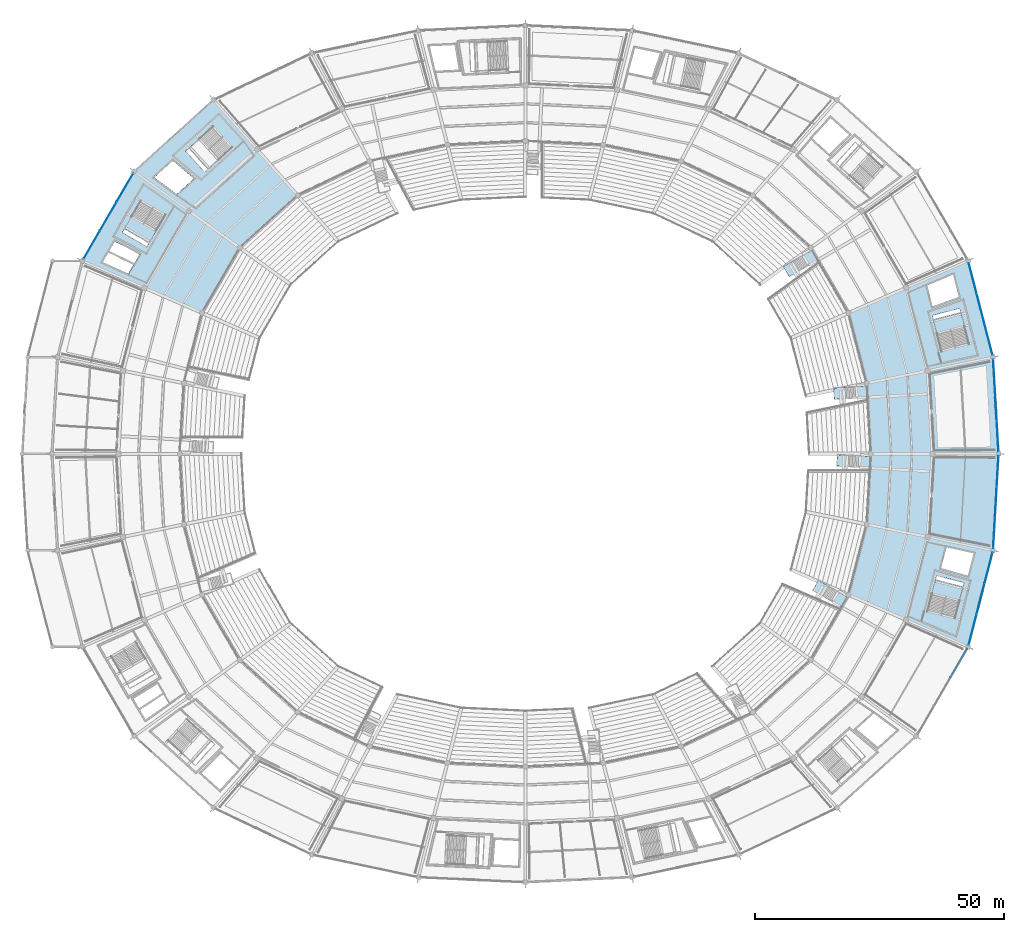
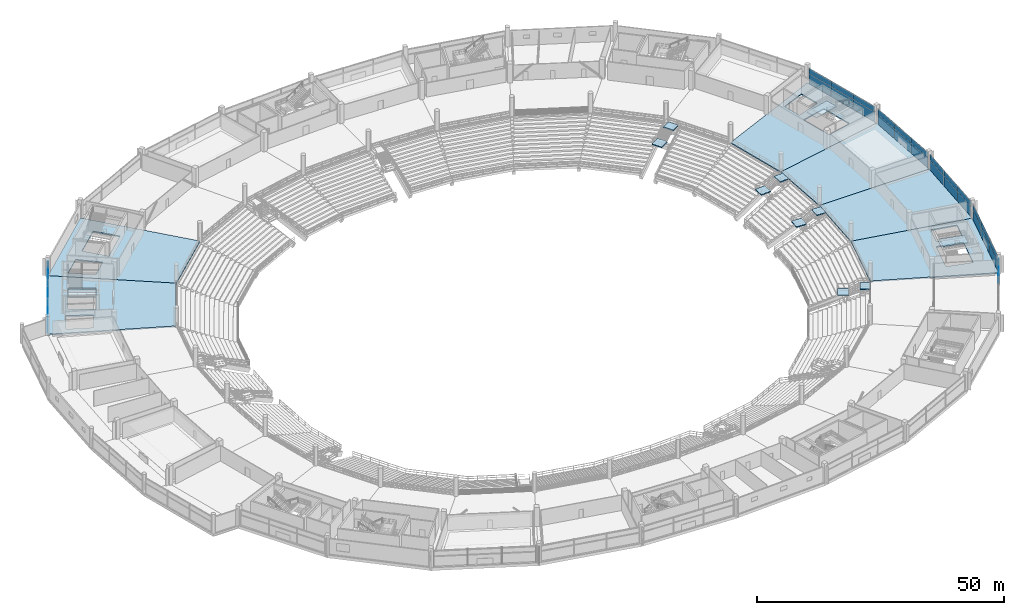
# One storey, part 98 of 156: 31 plates, 17 slabs, 13 elements without a shape of their own.
"""IFC4 building model written with IfcOpenShell, lengths in metres."""

from ifc_helpers import new_model, si_unit, direction, frame, origin, origin_2d, place, context, subcontext, project, spatial, polyline, rectangle, outline, extrude, material, layer, layer_set, type_object, element, aggregate, save


model = new_model("IFC4")

# Units and contexts
model_context = context("Model", 3, precision=1e-05, world=origin(), true_north=direction((0.0, 1.0)))
body_context = subcontext(model_context, "Body", "Model", "MODEL_VIEW")
ifc_project = project(units=[si_unit("LENGTHUNIT", "METRE"), si_unit("AREAUNIT", "SQUARE_METRE"), si_unit("VOLUMEUNIT", "CUBIC_METRE"), si_unit("PLANEANGLEUNIT", "RADIAN"), si_unit("MASSUNIT", "GRAM", prefix="KILO")], contexts=[model_context])

# Site, building, storey
site_placement = place(None, origin())
site = spatial("IfcSite", under=ifc_project, at=site_placement, CompositionType="ELEMENT")
building_placement = place(site_placement, origin())
building = spatial("IfcBuilding", under=site, at=building_placement, Name="Kazemori Nagisa Stadium", CompositionType="ELEMENT")
storey_placement = place(building_placement, frame((0.0, 0.0, 5.780029296875)))
storey = spatial("IfcBuildingStorey", under=building, at=storey_placement, Name="L01", CompositionType="ELEMENT", Elevation=5.780029296875)

# Curtain wall, plates
ifc_material_1 = material(Name="Anodised aluminium 6063-T5", Category="aluminium")
ifc_layer_1 = layer(ifc_material_1, 0.179931640625, Name="Anodised aluminium 6063-T5", Category="aluminium")
ifc_layer_set_1 = layer_set([ifc_layer_1], Name="Anodised aluminium 6063-T5")
curtain_wall_type_1 = type_object("IfcCurtainWallType", Name="CW_L01R3_93", PredefinedType="USERDEFINED", material=ifc_layer_set_1)
curtain_wall_1_placement = place(storey_placement, origin())
curtain_wall_1 = element("IfcCurtainWall", 1, at=curtain_wall_1_placement, inside=storey, type_object=curtain_wall_type_1, Name="Unitised curtain wall CW-L01R3-93 L01", ObjectType="UNITISED CURTAIN WALL", PredefinedType="USERDEFINED")
ifc_material_2 = material(Name="Anodised aluminium spandrel sheet", Category="aluminium")
ifc_layer_2 = layer(ifc_material_2, 0.0458984375, Name="Anodised aluminium spandrel sheet", Category="aluminium")
ifc_layer_set_2 = layer_set([ifc_layer_2], Name="Anodised aluminium spandrel sheet")
plate_type_1 = type_object("IfcPlateType", Name="CWPanel_SPN_L01R3_93", PredefinedType="CURTAIN_PANEL", material=ifc_layer_set_2)
plate_1_placement = place(storey_placement, frame((217.795166015625, 105.549072265625, 2.4638671875), z_axis=(0.0, 0.0, 1.0), x_axis=(-0.057601670941, 0.998339645364, 0.0)))
plate_1 = element("IfcPlate", 2, at=plate_1_placement, type_object=plate_type_1, Name="Curtain wall spandrel panel CW-L01R3-93-S1", PredefinedType="CURTAIN_PANEL", context=body_context, shape_type="SweptSolid", body=[
    extrude(rectangle(XDim=6.135986328125, YDim=0.0458984375, at=origin_2d()), origin(), (0.0, 0.0, 1.0), 1.385986328125),
])
plate_2_placement = place(storey_placement, frame((217.4404296875, 111.69873046875, 2.4638671875), z_axis=(0.0, 0.0, 1.0), x_axis=(-0.057601670941, 0.998339645364, 0.0)))
plate_2 = element("IfcPlate", 3, at=plate_2_placement, type_object=plate_type_1, Name="Curtain wall spandrel panel CW-L01R3-93-S2", PredefinedType="CURTAIN_PANEL", context=body_context, shape_type="SweptSolid", body=[
    extrude(rectangle(XDim=6.135986328125, YDim=0.0458984375, at=origin_2d()), origin(), (0.0, 0.0, 1.0), 1.385986328125),
])
plate_3_placement = place(storey_placement, frame((217.085693359375, 117.8486328125, 2.4638671875), z_axis=(0.0, 0.0, 1.0), x_axis=(-0.057601670941, 0.998339645364, 0.0)))
plate_3 = element("IfcPlate", 4, at=plate_3_placement, type_object=plate_type_1, Name="Curtain wall spandrel panel CW-L01R3-93-S3", PredefinedType="CURTAIN_PANEL", context=body_context, shape_type="SweptSolid", body=[
    extrude(rectangle(XDim=6.135986328125, YDim=0.0458984375, at=origin_2d()), origin(), (0.0, 0.0, 1.0), 1.385986328125),
])

curtain_wall_2_placement = place(storey_placement, origin())
curtain_wall_2 = element("IfcCurtainWall", 5, at=curtain_wall_2_placement, inside=storey, type_object=curtain_wall_type_1, Name="Unitised curtain wall CW-L01R3-93 L01", ObjectType="UNITISED CURTAIN WALL", PredefinedType="USERDEFINED")
plate_4_placement = place(storey_placement, frame((217.085693359375, 86.1513671875, 2.4638671875), z_axis=(0.0, 0.0, 1.0), x_axis=(0.057601670941, 0.998339645364, 0.0)))
plate_4 = element("IfcPlate", 6, at=plate_4_placement, type_object=plate_type_1, Name="Curtain wall spandrel panel CW-L01R3-93-S1", PredefinedType="CURTAIN_PANEL", context=body_context, shape_type="SweptSolid", body=[
    extrude(rectangle(XDim=6.135986328125, YDim=0.0458984375, at=origin_2d()), origin(), (0.0, 0.0, 1.0), 1.385986328125),
])
plate_5_placement = place(storey_placement, frame((217.4404296875, 92.30126953125, 2.4638671875), z_axis=(0.0, 0.0, 1.0), x_axis=(0.057601670941, 0.998339645364, 0.0)))
plate_5 = element("IfcPlate", 7, at=plate_5_placement, type_object=plate_type_1, Name="Curtain wall spandrel panel CW-L01R3-93-S2", PredefinedType="CURTAIN_PANEL", context=body_context, shape_type="SweptSolid", body=[
    extrude(rectangle(XDim=6.135986328125, YDim=0.0458984375, at=origin_2d()), origin(), (0.0, 0.0, 1.0), 1.385986328125),
])
plate_6_placement = place(storey_placement, frame((217.795166015625, 98.450927734375, 2.4638671875), z_axis=(0.0, 0.0, 1.0), x_axis=(0.057601670941, 0.998339645364, 0.0)))
plate_6 = element("IfcPlate", 8, at=plate_6_placement, type_object=plate_type_1, Name="Curtain wall spandrel panel CW-L01R3-93-S3", PredefinedType="CURTAIN_PANEL", context=body_context, shape_type="SweptSolid", body=[
    extrude(rectangle(XDim=6.135986328125, YDim=0.0458984375, at=origin_2d()), origin(), (0.0, 0.0, 1.0), 1.385986328125),
])

ifc_layer_3 = layer(ifc_material_1, 0.179931640625, Name="Anodised aluminium 6063-T5", Category="aluminium")
ifc_layer_set_3 = layer_set([ifc_layer_3], Name="Anodised aluminium 6063-T5")
curtain_wall_type_2 = type_object("IfcCurtainWallType", Name="CW_L01R3_96", PredefinedType="USERDEFINED", material=ifc_layer_set_3)
curtain_wall_3_placement = place(storey_placement, origin())
curtain_wall_3 = element("IfcCurtainWall", 9, at=curtain_wall_3_placement, inside=storey, type_object=curtain_wall_type_2, Name="Unitised curtain wall CW-L01R3-96 L01", ObjectType="UNITISED CURTAIN WALL", PredefinedType="USERDEFINED")
ifc_layer_4 = layer(ifc_material_2, 0.0458984375, Name="Anodised aluminium spandrel sheet", Category="aluminium")
ifc_layer_set_4 = layer_set([ifc_layer_4], Name="Anodised aluminium spandrel sheet")
plate_type_2 = type_object("IfcPlateType", Name="CWPanel_SPN_L01R3_96", PredefinedType="CURTAIN_PANEL", material=ifc_layer_set_4)
plate_7_placement = place(storey_placement, frame((215.968994140625, 124.9296875, 2.4638671875), z_axis=(0.0, 0.0, 1.0), x_axis=(-0.249964642418, 0.968254965152, 0.0)))
plate_7 = element("IfcPlate", 10, at=plate_7_placement, type_object=plate_type_2, Name="Curtain wall spandrel panel CW-L01R3-96-S1", PredefinedType="CURTAIN_PANEL", context=body_context, shape_type="SweptSolid", body=[
    extrude(rectangle(XDim=6.3212890625, YDim=0.0458984375, at=origin_2d()), origin(), (0.0, 0.0, 1.0), 1.385986328125),
])
plate_8_placement = place(storey_placement, frame((214.3828125, 131.07373046875, 2.4638671875), z_axis=(0.0, 0.0, 1.0), x_axis=(-0.249964642418, 0.968254965152, 0.0)))
plate_8 = element("IfcPlate", 11, at=plate_8_placement, type_object=plate_type_2, Name="Curtain wall spandrel panel CW-L01R3-96-S2", PredefinedType="CURTAIN_PANEL", context=body_context, shape_type="SweptSolid", body=[
    extrude(rectangle(XDim=6.3212890625, YDim=0.0458984375, at=origin_2d()), origin(), (0.0, 0.0, 1.0), 1.385986328125),
])
plate_9_placement = place(storey_placement, frame((212.796630859375, 137.217529296875, 2.4638671875), z_axis=(0.0, 0.0, 1.0), x_axis=(-0.249964642418, 0.968254965152, 0.0)))
plate_9 = element("IfcPlate", 12, at=plate_9_placement, type_object=plate_type_2, Name="Curtain wall spandrel panel CW-L01R3-96-S3", PredefinedType="CURTAIN_PANEL", context=body_context, shape_type="SweptSolid", body=[
    extrude(rectangle(XDim=6.3212890625, YDim=0.0458984375, at=origin_2d()), origin(), (0.0, 0.0, 1.0), 1.385986328125),
])

curtain_wall_4_placement = place(storey_placement, origin())
curtain_wall_4 = element("IfcCurtainWall", 13, at=curtain_wall_4_placement, inside=storey, type_object=curtain_wall_type_2, Name="Unitised curtain wall CW-L01R3-96 L01", ObjectType="UNITISED CURTAIN WALL", PredefinedType="USERDEFINED")
plate_10_placement = place(storey_placement, frame((212.796630859375, 66.782470703125, 2.4638671875), z_axis=(0.0, 0.0, 1.0), x_axis=(0.249964642418, 0.968254965152, 0.0)))
plate_10 = element("IfcPlate", 14, at=plate_10_placement, type_object=plate_type_2, Name="Curtain wall spandrel panel CW-L01R3-96-S1", PredefinedType="CURTAIN_PANEL", context=body_context, shape_type="SweptSolid", body=[
    extrude(rectangle(XDim=6.3212890625, YDim=0.0458984375, at=origin_2d()), origin(), (0.0, 0.0, 1.0), 1.385986328125),
])
plate_11_placement = place(storey_placement, frame((214.3828125, 72.92626953125, 2.4638671875), z_axis=(0.0, 0.0, 1.0), x_axis=(0.249964642418, 0.968254965152, 0.0)))
plate_11 = element("IfcPlate", 15, at=plate_11_placement, type_object=plate_type_2, Name="Curtain wall spandrel panel CW-L01R3-96-S2", PredefinedType="CURTAIN_PANEL", context=body_context, shape_type="SweptSolid", body=[
    extrude(rectangle(XDim=6.3212890625, YDim=0.0458984375, at=origin_2d()), origin(), (0.0, 0.0, 1.0), 1.385986328125),
])
plate_12_placement = place(storey_placement, frame((215.968994140625, 79.0703125, 2.4638671875), z_axis=(0.0, 0.0, 1.0), x_axis=(0.249964642418, 0.968254965152, 0.0)))
plate_12 = element("IfcPlate", 16, at=plate_12_placement, type_object=plate_type_2, Name="Curtain wall spandrel panel CW-L01R3-96-S3", PredefinedType="CURTAIN_PANEL", context=body_context, shape_type="SweptSolid", body=[
    extrude(rectangle(XDim=6.3212890625, YDim=0.0458984375, at=origin_2d()), origin(), (0.0, 0.0, 1.0), 1.385986328125),
])

ifc_layer_5 = layer(ifc_material_1, 0.179931640625, Name="Anodised aluminium 6063-T5", Category="aluminium")
ifc_layer_set_5 = layer_set([ifc_layer_5], Name="Anodised aluminium 6063-T5")
curtain_wall_type_3 = type_object("IfcCurtainWallType", Name="CW_L01R3_99", PredefinedType="USERDEFINED", material=ifc_layer_set_5)
curtain_wall_5_placement = place(storey_placement, origin())
curtain_wall_5 = element("IfcCurtainWall", 17, at=curtain_wall_5_placement, inside=storey, type_object=curtain_wall_type_3, Name="Unitised curtain wall CW-L01R3-99 L01", ObjectType="UNITISED CURTAIN WALL", PredefinedType="USERDEFINED")
ifc_layer_6 = layer(ifc_material_2, 0.0458984375, Name="Anodised aluminium spandrel sheet", Category="aluminium")
ifc_layer_set_6 = layer_set([ifc_layer_6], Name="Anodised aluminium spandrel sheet")
plate_type_3 = type_object("IfcPlateType", Name="CWPanel_SPN_L01R3_99", PredefinedType="CURTAIN_PANEL", material=ifc_layer_set_6)
plate_13_placement = place(storey_placement, frame((42.6142578125, 155.4072265625, 2.4638671875), z_axis=(0.0, 0.0, 1.0), x_axis=(-0.501611590054, -0.865092950337, 0.0)))
plate_13 = element("IfcPlate", 18, at=plate_13_placement, type_object=plate_type_3, Name="Curtain wall spandrel panel CW-L01R3-99-S1", PredefinedType="CURTAIN_PANEL", context=body_context, shape_type="SweptSolid", body=[
    extrude(rectangle(XDim=6.563232421875, YDim=0.0458984375, at=origin_2d()), origin(), (0.0, 0.0, 1.0), 1.385986328125),
])
plate_14_placement = place(storey_placement, frame((39.309814453125, 149.70849609375, 2.4638671875), z_axis=(0.0, 0.0, 1.0), x_axis=(-0.501611590054, -0.865092950337, 0.0)))
plate_14 = element("IfcPlate", 19, at=plate_14_placement, type_object=plate_type_3, Name="Curtain wall spandrel panel CW-L01R3-99-S2", PredefinedType="CURTAIN_PANEL", context=body_context, shape_type="SweptSolid", body=[
    extrude(rectangle(XDim=6.563232421875, YDim=0.0458984375, at=origin_2d()), origin(), (0.0, 0.0, 1.0), 1.385986328125),
])
plate_15_placement = place(storey_placement, frame((36.005615234375, 144.009765625, 2.4638671875), z_axis=(0.0, 0.0, 1.0), x_axis=(-0.501611590054, -0.865092950337, 0.0)))
plate_15 = element("IfcPlate", 20, at=plate_15_placement, type_object=plate_type_3, Name="Curtain wall spandrel panel CW-L01R3-99-S3", PredefinedType="CURTAIN_PANEL", context=body_context, shape_type="SweptSolid", body=[
    extrude(rectangle(XDim=6.563232421875, YDim=0.0458984375, at=origin_2d()), origin(), (0.0, 0.0, 1.0), 1.385986328125),
])

# Curtain wall, plate
curtain_wall_6_placement = place(storey_placement, origin())
curtain_wall_6 = element("IfcCurtainWall", 21, at=curtain_wall_6_placement, inside=storey, type_object=curtain_wall_type_3, Name="Unitised curtain wall CW-L01R3-99 L01", ObjectType="UNITISED CURTAIN WALL", PredefinedType="USERDEFINED")
plate_16_placement = place(storey_placement, frame((209.994384765625, 59.990234375, 2.4638671875), z_axis=(0.0, 0.0, 1.0), x_axis=(0.501611590054, 0.865092950337, 0.0)))
plate_16 = element("IfcPlate", 22, at=plate_16_placement, type_object=plate_type_3, Name="Curtain wall spandrel panel CW-L01R3-99-S3", PredefinedType="CURTAIN_PANEL", context=body_context, shape_type="SweptSolid", body=[
    extrude(rectangle(XDim=6.563232421875, YDim=0.0458984375, at=origin_2d()), origin(), (0.0, 0.0, 1.0), 1.385986328125),
])
aggregate(curtain_wall_6, [plate_16])

# Plate
ifc_material_3 = material(Name="Low-e laminated double glazing", Category="glass")
ifc_layer_7 = layer(ifc_material_3, 0.028076171875, Name="Low-e laminated double glazing", Category="glass")
ifc_layer_set_7 = layer_set([ifc_layer_7], Name="Low-e laminated double glazing")
plate_type_4 = type_object("IfcPlateType", Name="CWPanel_VIS_L01R3_93", PredefinedType="CURTAIN_PANEL", material=ifc_layer_set_7)
plate_17_placement = place(storey_placement, frame((217.795166015625, 105.549072265625, 0.0), z_axis=(0.0, 0.0, 1.0), x_axis=(-0.057601670941, 0.998339645364, 0.0)))
plate_17 = element("IfcPlate", 23, at=plate_17_placement, type_object=plate_type_4, Name="Curtain wall vision panel CW-L01R3-93-V1", PredefinedType="CURTAIN_PANEL", context=body_context, shape_type="SweptSolid", body=[
    extrude(rectangle(XDim=6.135986328125, YDim=0.028076171875, at=origin_2d()), origin(), (0.0, 0.0, 1.0), 2.464111328125),
])

plate_18_placement = place(storey_placement, frame((217.4404296875, 111.69873046875, 0.0), z_axis=(0.0, 0.0, 1.0), x_axis=(-0.057601670941, 0.998339645364, 0.0)))
plate_18 = element("IfcPlate", 24, at=plate_18_placement, type_object=plate_type_4, Name="Curtain wall vision panel CW-L01R3-93-V2", PredefinedType="CURTAIN_PANEL", context=body_context, shape_type="SweptSolid", body=[
    extrude(rectangle(XDim=6.135986328125, YDim=0.028076171875, at=origin_2d()), origin(), (0.0, 0.0, 1.0), 2.464111328125),
])

plate_19_placement = place(storey_placement, frame((217.085693359375, 117.8486328125, 0.0), z_axis=(0.0, 0.0, 1.0), x_axis=(-0.057601670941, 0.998339645364, 0.0)))
plate_19 = element("IfcPlate", 25, at=plate_19_placement, type_object=plate_type_4, Name="Curtain wall vision panel CW-L01R3-93-V3", PredefinedType="CURTAIN_PANEL", context=body_context, shape_type="SweptSolid", body=[
    extrude(rectangle(XDim=6.135986328125, YDim=0.028076171875, at=origin_2d()), origin(), (0.0, 0.0, 1.0), 2.464111328125),
])

aggregate(curtain_wall_1, [plate_17, plate_1, plate_18, plate_2, plate_19, plate_3])

plate_20_placement = place(storey_placement, frame((217.085693359375, 86.1513671875, 0.0), z_axis=(0.0, 0.0, 1.0), x_axis=(0.057601670941, 0.998339645364, 0.0)))
plate_20 = element("IfcPlate", 26, at=plate_20_placement, type_object=plate_type_4, Name="Curtain wall vision panel CW-L01R3-93-V1", PredefinedType="CURTAIN_PANEL", context=body_context, shape_type="SweptSolid", body=[
    extrude(rectangle(XDim=6.135986328125, YDim=0.028076171875, at=origin_2d()), origin(), (0.0, 0.0, 1.0), 2.464111328125),
])

plate_21_placement = place(storey_placement, frame((217.4404296875, 92.30126953125, 0.0), z_axis=(0.0, 0.0, 1.0), x_axis=(0.057601670941, 0.998339645364, 0.0)))
plate_21 = element("IfcPlate", 27, at=plate_21_placement, type_object=plate_type_4, Name="Curtain wall vision panel CW-L01R3-93-V2", PredefinedType="CURTAIN_PANEL", context=body_context, shape_type="SweptSolid", body=[
    extrude(rectangle(XDim=6.135986328125, YDim=0.028076171875, at=origin_2d()), origin(), (0.0, 0.0, 1.0), 2.464111328125),
])

plate_22_placement = place(storey_placement, frame((217.795166015625, 98.450927734375, 0.0), z_axis=(0.0, 0.0, 1.0), x_axis=(0.057601670941, 0.998339645364, 0.0)))
plate_22 = element("IfcPlate", 28, at=plate_22_placement, type_object=plate_type_4, Name="Curtain wall vision panel CW-L01R3-93-V3", PredefinedType="CURTAIN_PANEL", context=body_context, shape_type="SweptSolid", body=[
    extrude(rectangle(XDim=6.135986328125, YDim=0.028076171875, at=origin_2d()), origin(), (0.0, 0.0, 1.0), 2.464111328125),
])

aggregate(curtain_wall_2, [plate_20, plate_4, plate_21, plate_5, plate_22, plate_6])

ifc_layer_8 = layer(ifc_material_3, 0.028076171875, Name="Low-e laminated double glazing", Category="glass")
ifc_layer_set_8 = layer_set([ifc_layer_8], Name="Low-e laminated double glazing")
plate_type_5 = type_object("IfcPlateType", Name="CWPanel_VIS_L01R3_96", PredefinedType="CURTAIN_PANEL", material=ifc_layer_set_8)
plate_23_placement = place(storey_placement, frame((215.968994140625, 124.9296875, 0.0), z_axis=(0.0, 0.0, 1.0), x_axis=(-0.249964642418, 0.968254965152, 0.0)))
plate_23 = element("IfcPlate", 29, at=plate_23_placement, type_object=plate_type_5, Name="Curtain wall vision panel CW-L01R3-96-V1", PredefinedType="CURTAIN_PANEL", context=body_context, shape_type="SweptSolid", body=[
    extrude(rectangle(XDim=6.3212890625, YDim=0.028076171875, at=origin_2d()), origin(), (0.0, 0.0, 1.0), 2.464111328125),
])

plate_24_placement = place(storey_placement, frame((214.3828125, 131.07373046875, 0.0), z_axis=(0.0, 0.0, 1.0), x_axis=(-0.249964642418, 0.968254965152, 0.0)))
plate_24 = element("IfcPlate", 30, at=plate_24_placement, type_object=plate_type_5, Name="Curtain wall vision panel CW-L01R3-96-V2", PredefinedType="CURTAIN_PANEL", context=body_context, shape_type="SweptSolid", body=[
    extrude(rectangle(XDim=6.3212890625, YDim=0.028076171875, at=origin_2d()), origin(), (0.0, 0.0, 1.0), 2.464111328125),
])

plate_25_placement = place(storey_placement, frame((212.796630859375, 137.217529296875, 0.0), z_axis=(0.0, 0.0, 1.0), x_axis=(-0.249964642418, 0.968254965152, 0.0)))
plate_25 = element("IfcPlate", 31, at=plate_25_placement, type_object=plate_type_5, Name="Curtain wall vision panel CW-L01R3-96-V3", PredefinedType="CURTAIN_PANEL", context=body_context, shape_type="SweptSolid", body=[
    extrude(rectangle(XDim=6.3212890625, YDim=0.028076171875, at=origin_2d()), origin(), (0.0, 0.0, 1.0), 2.464111328125),
])

aggregate(curtain_wall_3, [plate_23, plate_7, plate_24, plate_8, plate_25, plate_9])

plate_26_placement = place(storey_placement, frame((212.796630859375, 66.782470703125, 0.0), z_axis=(0.0, 0.0, 1.0), x_axis=(0.249964642418, 0.968254965152, 0.0)))
plate_26 = element("IfcPlate", 32, at=plate_26_placement, type_object=plate_type_5, Name="Curtain wall vision panel CW-L01R3-96-V1", PredefinedType="CURTAIN_PANEL", context=body_context, shape_type="SweptSolid", body=[
    extrude(rectangle(XDim=6.3212890625, YDim=0.028076171875, at=origin_2d()), origin(), (0.0, 0.0, 1.0), 2.464111328125),
])

plate_27_placement = place(storey_placement, frame((214.3828125, 72.92626953125, 0.0), z_axis=(0.0, 0.0, 1.0), x_axis=(0.249964642418, 0.968254965152, 0.0)))
plate_27 = element("IfcPlate", 33, at=plate_27_placement, type_object=plate_type_5, Name="Curtain wall vision panel CW-L01R3-96-V2", PredefinedType="CURTAIN_PANEL", context=body_context, shape_type="SweptSolid", body=[
    extrude(rectangle(XDim=6.3212890625, YDim=0.028076171875, at=origin_2d()), origin(), (0.0, 0.0, 1.0), 2.464111328125),
])

plate_28_placement = place(storey_placement, frame((215.968994140625, 79.0703125, 0.0), z_axis=(0.0, 0.0, 1.0), x_axis=(0.249964642418, 0.968254965152, 0.0)))
plate_28 = element("IfcPlate", 34, at=plate_28_placement, type_object=plate_type_5, Name="Curtain wall vision panel CW-L01R3-96-V3", PredefinedType="CURTAIN_PANEL", context=body_context, shape_type="SweptSolid", body=[
    extrude(rectangle(XDim=6.3212890625, YDim=0.028076171875, at=origin_2d()), origin(), (0.0, 0.0, 1.0), 2.464111328125),
])

aggregate(curtain_wall_4, [plate_26, plate_10, plate_27, plate_11, plate_28, plate_12])

ifc_layer_9 = layer(ifc_material_3, 0.028076171875, Name="Low-e laminated double glazing", Category="glass")
ifc_layer_set_9 = layer_set([ifc_layer_9], Name="Low-e laminated double glazing")
plate_type_6 = type_object("IfcPlateType", Name="CWPanel_VIS_L01R3_99", PredefinedType="CURTAIN_PANEL", material=ifc_layer_set_9)
plate_29_placement = place(storey_placement, frame((42.6142578125, 155.4072265625, 0.0), z_axis=(0.0, 0.0, 1.0), x_axis=(-0.501611590054, -0.865092950337, 0.0)))
plate_29 = element("IfcPlate", 35, at=plate_29_placement, type_object=plate_type_6, Name="Curtain wall vision panel CW-L01R3-99-V1", PredefinedType="CURTAIN_PANEL", context=body_context, shape_type="SweptSolid", body=[
    extrude(rectangle(XDim=6.563232421875, YDim=0.028076171875, at=origin_2d()), origin(), (0.0, 0.0, 1.0), 2.464111328125),
])

plate_30_placement = place(storey_placement, frame((39.309814453125, 149.70849609375, 0.0), z_axis=(0.0, 0.0, 1.0), x_axis=(-0.501611590054, -0.865092950337, 0.0)))
plate_30 = element("IfcPlate", 36, at=plate_30_placement, type_object=plate_type_6, Name="Curtain wall vision panel CW-L01R3-99-V2", PredefinedType="CURTAIN_PANEL", context=body_context, shape_type="SweptSolid", body=[
    extrude(rectangle(XDim=6.563232421875, YDim=0.028076171875, at=origin_2d()), origin(), (0.0, 0.0, 1.0), 2.464111328125),
])

plate_31_placement = place(storey_placement, frame((36.005615234375, 144.009765625, 0.0), z_axis=(0.0, 0.0, 1.0), x_axis=(-0.501611590054, -0.865092950337, 0.0)))
plate_31 = element("IfcPlate", 37, at=plate_31_placement, type_object=plate_type_6, Name="Curtain wall vision panel CW-L01R3-99-V3", PredefinedType="CURTAIN_PANEL", context=body_context, shape_type="SweptSolid", body=[
    extrude(rectangle(XDim=6.563232421875, YDim=0.028076171875, at=origin_2d()), origin(), (0.0, 0.0, 1.0), 2.464111328125),
])

aggregate(curtain_wall_5, [plate_29, plate_13, plate_30, plate_14, plate_31, plate_15])

# Slabs
ifc_material_4 = material(Name="Concrete C36/45 (Fc36)", Category="concrete")
ifc_layer_10 = layer(ifc_material_4, 0.280029296875, Name="Concrete C36/45 (Fc36)", Category="concrete")
ifc_layer_set_10 = layer_set([ifc_layer_10], Name="Concrete C36/45 (Fc36)")
slab_type_1 = type_object("IfcSlabType", Name="Slab_SL-CONC-280", PredefinedType="FLOOR", material=ifc_layer_set_10)
slab_1_placement = place(storey_placement, frame((0.0, 0.0, -0.280029296875)))
element("IfcSlab", 38, at=slab_1_placement, inside=storey, type_object=slab_type_1, Name="Concourse floor slab L01 bay 01", PredefinedType="FLOOR", context=body_context, shape_type="SweptSolid", body=[
    extrude(outline(polyline([(192.35009765625, 102.0), (191.532958984375, 116.160400390625), (216.880859375, 121.397705078125), (218.0, 102.0), (192.35009765625, 102.0)])), origin(), (0.0, 0.0, 1.0), 0.280029296875),
])
slab_2_placement = place(storey_placement, frame((0.0, 0.0, -0.280029296875)))
element("IfcSlab", 39, at=slab_2_placement, inside=storey, type_object=slab_type_1, Name="Concourse floor slab L01 bay 02", PredefinedType="FLOOR", context=body_context, shape_type="SweptSolid", body=[
    extrude(outline(polyline([(191.532958984375, 116.160400390625), (187.885986328125, 130.287109375), (211.885009765625, 140.74951171875), (216.880859375, 121.397705078125), (191.532958984375, 116.160400390625)]), holes=[polyline([(206.533447265625, 122.641357421875), (204.688720703125, 129.787109375), (210.207763671875, 131.2119140625), (212.052490234375, 124.066162109375), (206.533447265625, 122.641357421875)]), polyline([(204.751953125, 131.6064453125), (203.668212890625, 135.804931640625), (208.84375, 137.973876953125), (209.9970703125, 133.505859375), (204.751953125, 131.6064453125)])]), origin(), (0.0, 0.0, 1.0), 0.280029296875),
])
slab_3_placement = place(storey_placement, frame((0.0, 0.0, -0.280029296875)))
element("IfcSlab", 40, at=slab_3_placement, inside=storey, type_object=slab_type_1, Name="Concourse floor slab L01 bay 11", PredefinedType="FLOOR", context=body_context, shape_type="SweptSolid", body=[
    extrude(outline(polyline([(77.303466796875, 153.873046875), (65.698486328125, 143.367431640625), (44.504638671875, 158.667724609375), (60.402099609375, 173.05908203125), (77.303466796875, 153.873046875)]), holes=[polyline([(64.12109375, 163.4794921875), (58.64990234375, 158.526611328125), (54.82470703125, 162.752197265625), (60.2958984375, 167.705078125), (64.12109375, 163.4794921875)]), polyline([(56.495361328125, 157.260498046875), (53.046142578125, 154.13818359375), (48.557861328125, 157.4833984375), (52.228271484375, 160.80615234375), (56.495361328125, 157.260498046875)])]), origin(), (0.0, 0.0, 1.0), 0.280029296875),
])
slab_4_placement = place(storey_placement, frame((0.0, 0.0, -0.280029296875)))
element("IfcSlab", 41, at=slab_4_placement, inside=storey, type_object=slab_type_1, Name="Concourse floor slab L01 bay 12", PredefinedType="FLOOR", context=body_context, shape_type="SweptSolid", body=[
    extrude(outline(polyline([(65.698486328125, 143.367431640625), (58.114013671875, 130.287109375), (34.114990234375, 140.74951171875), (44.504638671875, 158.667724609375), (65.698486328125, 143.367431640625)]), holes=[polyline([(50.736083984375, 149.940673828125), (47.0341796875, 143.55615234375), (42.103271484375, 146.415283203125), (45.80517578125, 152.7998046875), (50.736083984375, 149.940673828125)]), polyline([(45.5595703125, 142.051025390625), (43.305419921875, 138.163330078125), (38.1923828125, 140.483642578125), (40.591064453125, 144.62060546875), (45.5595703125, 142.051025390625)])]), origin(), (0.0, 0.0, 1.0), 0.280029296875),
])
slab_5_placement = place(storey_placement, frame((0.0, 0.0, -0.280029296875)))
element("IfcSlab", 42, at=slab_5_placement, inside=storey, type_object=slab_type_1, Name="Concourse floor slab L01 bay 27", PredefinedType="FLOOR", context=body_context, shape_type="SweptSolid", body=[
    extrude(outline(polyline([(187.885986328125, 73.712890625), (191.532958984375, 87.839599609375), (216.880859375, 82.602294921875), (211.885009765625, 63.25048828125), (187.885986328125, 73.712890625)]), holes=[polyline([(203.708740234375, 70.41650390625), (205.553466796875, 77.562255859375), (211.072509765625, 76.137451171875), (209.227783203125, 68.99169921875), (203.708740234375, 70.41650390625)]), polyline([(206.46826171875, 79.041259765625), (207.552001953125, 83.239990234375), (212.976806640625, 82.036376953125), (211.823486328125, 77.568359375), (206.46826171875, 79.041259765625)])]), origin(), (0.0, 0.0, 1.0), 0.280029296875),
])
slab_6_placement = place(storey_placement, frame((0.0, 0.0, -0.280029296875)))
element("IfcSlab", 43, at=slab_6_placement, inside=storey, type_object=slab_type_1, Name="Concourse floor slab L01 bay 28", PredefinedType="FLOOR", context=body_context, shape_type="SweptSolid", body=[
    extrude(outline(polyline([(191.532958984375, 87.839599609375), (192.35009765625, 102.0), (218.0, 102.0), (216.880859375, 82.602294921875), (191.532958984375, 87.839599609375)])), origin(), (0.0, 0.0, 1.0), 0.280029296875),
])

# Stair, slab
stair_type_1 = type_object("IfcStairType", Name="Stair_CORE_28", PredefinedType="TWO_STRAIGHT_RUN_STAIR", material=ifc_material_4)
stair_1_placement = place(storey_placement, origin())
stair_1 = element("IfcStair", 44, at=stair_1_placement, inside=storey, type_object=stair_type_1, Name="Exit stair ST07 L01", PredefinedType="TWO_STRAIGHT_RUN_STAIR")
ifc_layer_11 = layer(ifc_material_4, 0.199951171875, Name="Concrete C36/45 (Fc36)", Category="concrete")
ifc_layer_set_11 = layer_set([ifc_layer_11], Name="Concrete C36/45 (Fc36)")
slab_type_2 = type_object("IfcSlabType", Name="Slab_SL-LND-200", PredefinedType="LANDING", material=ifc_layer_set_11)
slab_7_placement = place(storey_placement, frame((0.0, 0.0, 2.179931640625)))
slab_7 = element("IfcSlab", 45, at=slab_7_placement, type_object=slab_type_2, Name="Exit stair ST07 L01 mid-landing", PredefinedType="LANDING", context=body_context, shape_type="SweptSolid", body=[
    extrude(outline(polyline([(205.614990234375, 126.19970703125), (204.902587890625, 128.959228515625), (210.421630859375, 130.384033203125), (211.134033203125, 127.62451171875), (205.614990234375, 126.19970703125)])), origin(), (0.0, 0.0, 1.0), 0.199951171875),
])
aggregate(stair_1, [slab_7])

stair_2_placement = place(storey_placement, origin())
stair_2 = element("IfcStair", 46, at=stair_2_placement, inside=storey, type_object=stair_type_1, Name="Exit stair ST08 L01", PredefinedType="TWO_STRAIGHT_RUN_STAIR")
slab_8_placement = place(storey_placement, frame((0.0, 0.0, 2.179931640625)))
slab_8 = element("IfcSlab", 47, at=slab_8_placement, type_object=slab_type_2, Name="Exit stair ST08 L01 mid-landing", PredefinedType="LANDING", context=body_context, shape_type="SweptSolid", body=[
    extrude(outline(polyline([(48.892578125, 146.761474609375), (47.463134765625, 144.2958984375), (42.531982421875, 147.155029296875), (43.961669921875, 149.62060546875), (48.892578125, 146.761474609375)])), origin(), (0.0, 0.0, 1.0), 0.199951171875),
])
aggregate(stair_2, [slab_8])

stair_3_placement = place(storey_placement, origin())
stair_3 = element("IfcStair", 48, at=stair_3_placement, inside=storey, type_object=stair_type_1, Name="Exit stair ST10 L01", PredefinedType="TWO_STRAIGHT_RUN_STAIR")
slab_9_placement = place(storey_placement, frame((0.0, 0.0, 2.179931640625)))
slab_9 = element("IfcSlab", 49, at=slab_9_placement, type_object=slab_type_2, Name="Exit stair ST10 L01 mid-landing", PredefinedType="LANDING", context=body_context, shape_type="SweptSolid", body=[
    extrude(outline(polyline([(204.627197265625, 73.974853515625), (205.339599609375, 76.734375), (210.85888671875, 75.3095703125), (210.146484375, 72.550048828125), (204.627197265625, 73.974853515625)])), origin(), (0.0, 0.0, 1.0), 0.199951171875),
])
aggregate(stair_3, [slab_9])

stair_type_2 = type_object("IfcStairType", Name="Stair_VOM_VL", PredefinedType="STRAIGHT_RUN_STAIR", material=ifc_material_4)
stair_4_placement = place(storey_placement, origin())
stair_4 = element("IfcStair", 50, at=stair_4_placement, inside=storey, type_object=stair_type_2, Name="Vomitory stair lower VL01", PredefinedType="STRAIGHT_RUN_STAIR")
ifc_layer_12 = layer(ifc_material_4, 0.219970703125, Name="Concrete C36/45 (Fc36)", Category="concrete")
ifc_layer_set_12 = layer_set([ifc_layer_12], Name="Concrete C36/45 (Fc36)")
slab_type_3 = type_object("IfcSlabType", Name="Slab_SL-LND-220", PredefinedType="LANDING", material=ifc_layer_set_12)
slab_10_placement = place(storey_placement, frame((0.0, 0.0, -1.659912109375)))
slab_10 = element("IfcSlab", 51, at=slab_10_placement, type_object=slab_type_3, Name="Vomitory stair lower VL01 landing", PredefinedType="LANDING", context=body_context, shape_type="SweptSolid", body=[
    extrude(outline(polyline([(187.221923828125, 115.360595703125), (187.3544921875, 113.064453125), (185.038330078125, 112.930908203125), (184.90576171875, 115.22705078125), (187.221923828125, 115.360595703125)])), origin(), (0.0, 0.0, 1.0), 0.219970703125),
])
aggregate(stair_4, [slab_10])

stair_5_placement = place(storey_placement, origin())
stair_5 = element("IfcStair", 52, at=stair_5_placement, inside=storey, type_object=stair_type_2, Name="Vomitory stair lower VL02", PredefinedType="STRAIGHT_RUN_STAIR")
slab_11_placement = place(storey_placement, frame((0.0, 0.0, -1.659912109375)))
slab_11 = element("IfcSlab", 53, at=slab_11_placement, type_object=slab_type_3, Name="Vomitory stair lower VL02 landing", PredefinedType="LANDING", context=body_context, shape_type="SweptSolid", body=[
    extrude(outline(polyline([(176.814453125, 140.70947265625), (177.968017578125, 138.719970703125), (175.9609375, 137.55615234375), (174.807373046875, 139.5458984375), (176.814453125, 140.70947265625)])), origin(), (0.0, 0.0, 1.0), 0.219970703125),
])
aggregate(stair_5, [slab_11])

stair_6_placement = place(storey_placement, origin())
stair_6 = element("IfcStair", 54, at=stair_6_placement, inside=storey, type_object=stair_type_2, Name="Vomitory stair lower VL11", PredefinedType="STRAIGHT_RUN_STAIR")
slab_12_placement = place(storey_placement, frame((0.0, 0.0, -1.659912109375)))
slab_12 = element("IfcSlab", 55, at=slab_12_placement, type_object=slab_type_3, Name="Vomitory stair lower VL11 landing", PredefinedType="LANDING", context=body_context, shape_type="SweptSolid", body=[
    extrude(outline(polyline([(183.846923828125, 75.4189453125), (182.693359375, 73.429443359375), (180.686279296875, 74.593017578125), (181.83984375, 76.582763671875), (183.846923828125, 75.4189453125)])), origin(), (0.0, 0.0, 1.0), 0.219970703125),
])
aggregate(stair_6, [slab_12])

stair_7_placement = place(storey_placement, origin())
stair_7 = element("IfcStair", 56, at=stair_7_placement, inside=storey, type_object=stair_type_2, Name="Vomitory stair lower VL12", PredefinedType="STRAIGHT_RUN_STAIR")
slab_13_placement = place(storey_placement, frame((0.0, 0.0, -1.659912109375)))
slab_13 = element("IfcSlab", 57, at=slab_13_placement, type_object=slab_type_3, Name="Vomitory stair lower VL12 landing", PredefinedType="LANDING", context=body_context, shape_type="SweptSolid", body=[
    extrude(outline(polyline([(187.9755859375, 101.701416015625), (187.843017578125, 99.4052734375), (185.52685546875, 99.538818359375), (185.659423828125, 101.835205078125), (187.9755859375, 101.701416015625)])), origin(), (0.0, 0.0, 1.0), 0.219970703125),
])
aggregate(stair_7, [slab_13])

# Slabs
ifc_layer_13 = layer(ifc_material_4, 0.219970703125, Name="Concrete C36/45 (Fc36)", Category="concrete")
ifc_layer_set_13 = layer_set([ifc_layer_13], Name="Concrete C36/45 (Fc36)")
slab_type_4 = type_object("IfcSlabType", Name="Slab_SL-VOM-220", PredefinedType="FLOOR", material=ifc_layer_set_13)
slab_14_placement = place(storey_placement, frame((0.0, 0.0, -0.219970703125)))
element("IfcSlab", 58, at=slab_14_placement, inside=storey, type_object=slab_type_4, Name="Vomitory portal lower bay 01", PredefinedType="FLOOR", context=body_context, shape_type="SweptSolid", body=[
    extrude(outline(polyline([(191.564697265625, 115.611328125), (191.697265625, 113.31494140625), (189.6005859375, 113.194091796875), (189.46826171875, 115.490234375), (191.564697265625, 115.611328125)])), origin(), (0.0, 0.0, 1.0), 0.219970703125),
])
slab_15_placement = place(storey_placement, frame((0.0, 0.0, -0.219970703125)))
element("IfcSlab", 59, at=slab_15_placement, inside=storey, type_object=slab_type_4, Name="Vomitory portal lower bay 03", PredefinedType="FLOOR", context=body_context, shape_type="SweptSolid", body=[
    extrude(outline(polyline([(180.577392578125, 142.8916015625), (181.731201171875, 140.90185546875), (179.91455078125, 139.848388671875), (178.7607421875, 141.838134765625), (180.577392578125, 142.8916015625)])), origin(), (0.0, 0.0, 1.0), 0.219970703125),
])
slab_16_placement = place(storey_placement, frame((0.0, 0.0, -0.219970703125)))
element("IfcSlab", 60, at=slab_16_placement, inside=storey, type_object=slab_type_4, Name="Vomitory portal lower bay 26", PredefinedType="FLOOR", context=body_context, shape_type="SweptSolid", body=[
    extrude(outline(polyline([(187.610107421875, 73.237060546875), (186.456298828125, 71.247314453125), (184.6396484375, 72.30078125), (185.79345703125, 74.29052734375), (187.610107421875, 73.237060546875)])), origin(), (0.0, 0.0, 1.0), 0.219970703125),
])
slab_17_placement = place(storey_placement, frame((0.0, 0.0, -0.219970703125)))
element("IfcSlab", 61, at=slab_17_placement, inside=storey, type_object=slab_type_4, Name="Vomitory portal lower bay 28", PredefinedType="FLOOR", context=body_context, shape_type="SweptSolid", body=[
    extrude(outline(polyline([(192.318359375, 101.450927734375), (192.185791015625, 99.15478515625), (190.08935546875, 99.275634765625), (190.221923828125, 101.57177734375), (192.318359375, 101.450927734375)])), origin(), (0.0, 0.0, 1.0), 0.219970703125),
])

save(model, "model.ifc")
